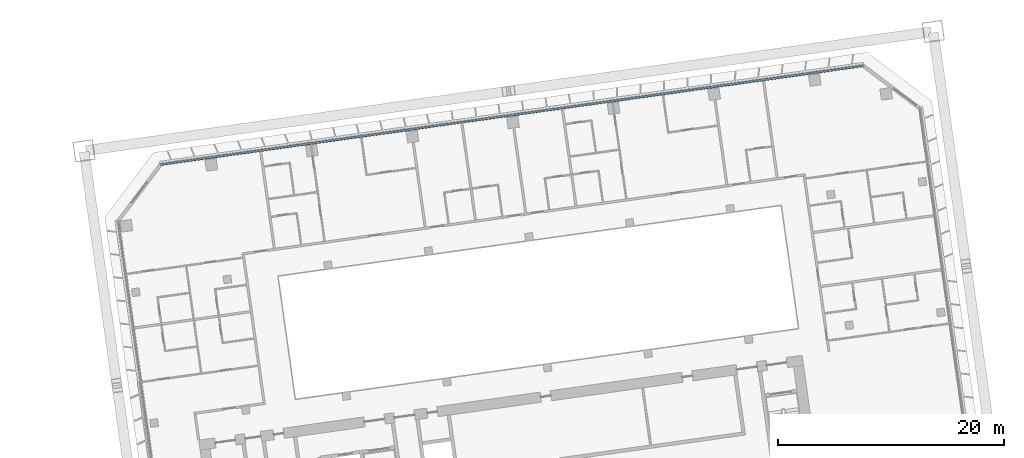
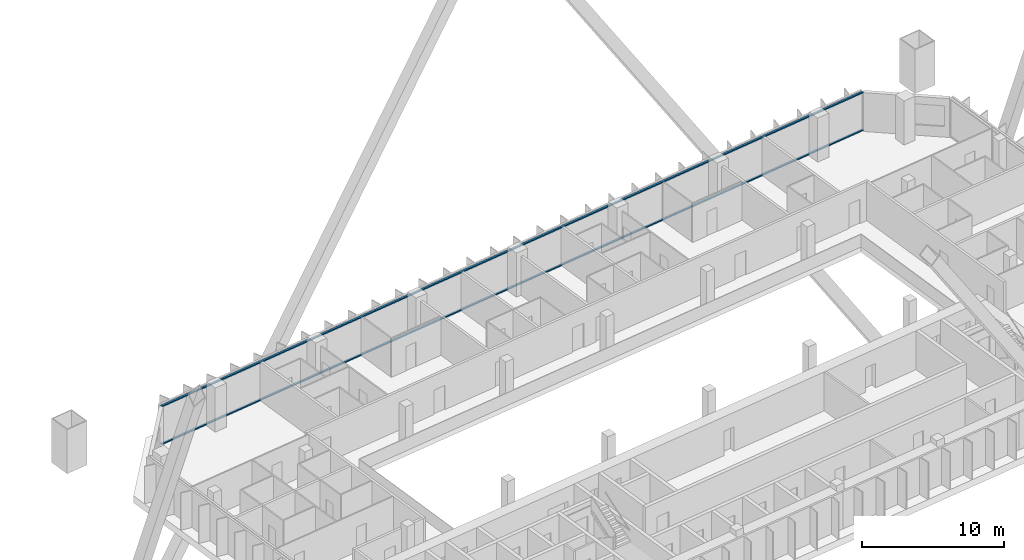
# One storey, part 28 of 49: 2 members, 1 element without a shape of its own.
"""IFC4 building model written with IfcOpenShell, lengths in metres."""

from ifc_helpers import new_model, si_unit, direction, frame, origin, origin_2d, place, context, subcontext, project, spatial, rectangle, extrude, material, material_profile, profile_set, type_object, element, aggregate, save


model = new_model("IFC4")

# Units and contexts
model_context = context("Model", 3, precision=1e-05, world=origin(), true_north=direction((0.0, 1.0)))
body_context = subcontext(model_context, "Body", "Model", "MODEL_VIEW")
ifc_project = project(units=[si_unit("LENGTHUNIT", "METRE"), si_unit("AREAUNIT", "SQUARE_METRE"), si_unit("VOLUMEUNIT", "CUBIC_METRE"), si_unit("PLANEANGLEUNIT", "RADIAN"), si_unit("MASSUNIT", "GRAM", prefix="KILO")], contexts=[model_context])

# Site, building, storey
site_placement = place(None, origin())
site = spatial("IfcSite", under=ifc_project, at=site_placement, CompositionType="ELEMENT")
building_placement = place(site_placement, origin())
building = spatial("IfcBuilding", under=site, at=building_placement, Name="Mirante Cascada Hotel Towers", CompositionType="ELEMENT")
storey_placement = place(building_placement, frame((0.0, 0.0, 66.1)))
storey = spatial("IfcBuildingStorey", under=building, at=storey_placement, Name="L13", CompositionType="ELEMENT", Elevation=66.1)

# Curtain wall, members
ifc_material_1 = material(Name="Aluminium mullion and transom frame with clear laminated glass", Category="aluminium")
curtain_wall_type = type_object("IfcCurtainWallType", Name="Ribbon curtain wall ECW1", PredefinedType="NOTDEFINED", material=ifc_material_1)
curtain_wall_placement = place(storey_placement, origin())
curtain_wall = element("IfcCurtainWall", 1, at=curtain_wall_placement, inside=storey, type_object=curtain_wall_type, Name="Front ribbon wall T2 L13", PredefinedType="NOTDEFINED")
ifc_material_2 = material(Name="Anodised aluminium extrusion", Category="aluminium")
ifc_material_profile = material_profile(ifc_material_2, rectangle(XDim=0.16, YDim=0.1, at=origin_2d()), Name="ECW1 TRANSOM 100x160")
ifc_profile_set = profile_set([ifc_material_profile], Name="Anodised aluminium extrusion")
member_type = type_object("IfcMemberType", Name="ECW1 transom 100x160", PredefinedType="USERDEFINED", material=ifc_profile_set)
member_1_placement = place(storey_placement, frame((94.1582, 26.0521, 0.05), z_axis=(-0.9902681, -0.1391728, 0.0), x_axis=(0.1391728, -0.9902681, 0.0)))
member_1 = element("IfcMember", 2, at=member_1_placement, type_object=member_type, Name="ECW1 sill transom", ObjectType="TRANSOM", PredefinedType="USERDEFINED", context=body_context, shape_type="SweptSolid", body=[
    extrude(rectangle(XDim=0.16, YDim=0.1, at=origin_2d()), origin(), (0.0, 0.0, 1.0), 62.8758),
])
member_2_placement = place(storey_placement, frame((94.1582, 26.0521, 3.3), z_axis=(-0.9902681, -0.1391728, 0.0), x_axis=(0.1391728, -0.9902681, 0.0)))
member_2 = element("IfcMember", 3, at=member_2_placement, type_object=member_type, Name="ECW1 head transom", ObjectType="TRANSOM", PredefinedType="USERDEFINED", context=body_context, shape_type="SweptSolid", body=[
    extrude(rectangle(XDim=0.16, YDim=0.1, at=origin_2d()), origin(), (0.0, 0.0, 1.0), 62.8758),
])
aggregate(curtain_wall, [member_1, member_2])

save(model, "model.ifc")
